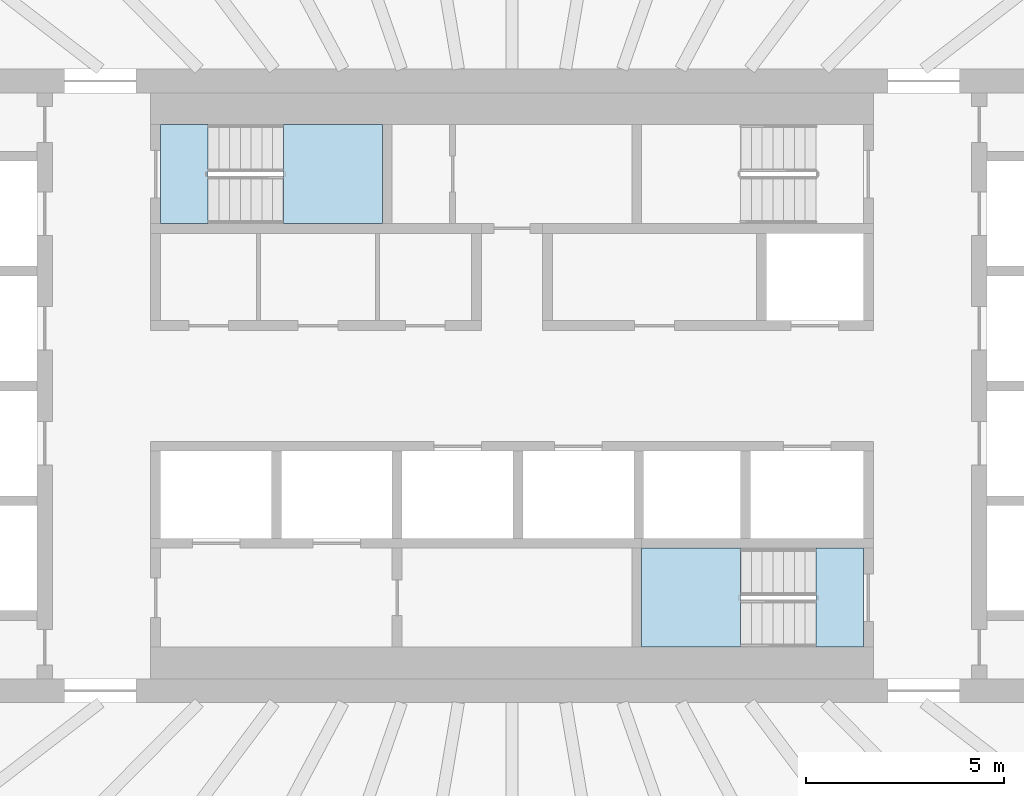
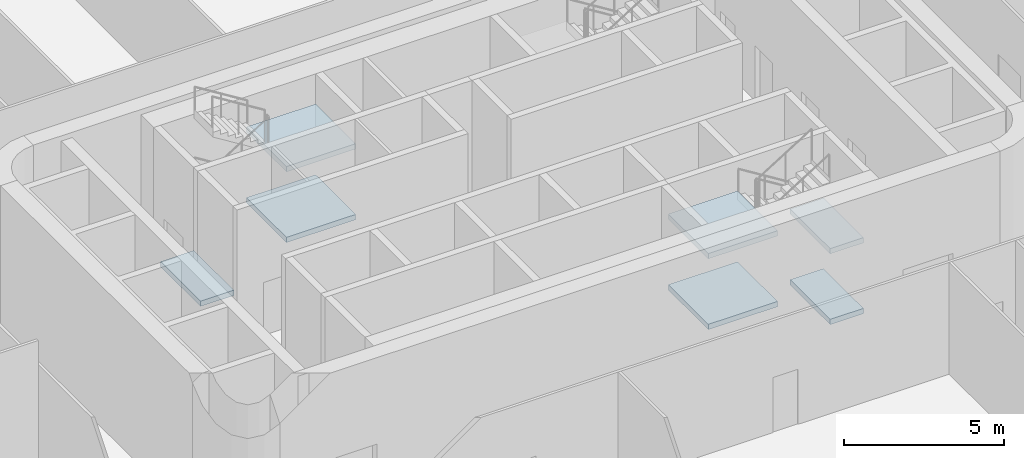
# One storey, part 17 of 42: 7 slabs, 2 elements without a shape of their own.
"""IFC4 building model written with IfcOpenShell, lengths in metres."""

from ifc_helpers import new_model, si_unit, direction, frame, origin, place, context, subcontext, project, spatial, polyline, outline, extrude, material, layer, layer_set, type_object, element, aggregate, save


model = new_model("IFC4")

# Units and contexts
model_context = context("Model", 3, precision=1e-05, world=origin(), true_north=direction((0.0, 1.0)))
body_context = subcontext(model_context, "Body", "Model", "MODEL_VIEW")
ifc_project = project(units=[si_unit("LENGTHUNIT", "METRE"), si_unit("AREAUNIT", "SQUARE_METRE"), si_unit("VOLUMEUNIT", "CUBIC_METRE"), si_unit("PLANEANGLEUNIT", "RADIAN"), si_unit("MASSUNIT", "GRAM", prefix="KILO")], contexts=[model_context])

# Site, building, storey
site_placement = place(None, origin())
site = spatial("IfcSite", under=ifc_project, at=site_placement, CompositionType="ELEMENT")
building_placement = place(site_placement, origin())
building = spatial("IfcBuilding", under=site, at=building_placement, Name="Sahrelin Media Tower", CompositionType="ELEMENT")
storey_placement = place(building_placement, frame((0.0, 0.0, 26.0)))
storey = spatial("IfcBuildingStorey", under=building, at=storey_placement, Name="L03", CompositionType="ELEMENT", Elevation=26.0)

# Stair, slabs
ifc_material = material(Name="Concrete C40/50", Category="concrete")
stair_type = type_object("IfcStairType", Name="Exit stair 1200", PredefinedType="HALF_TURN_STAIR", material=ifc_material)
placement_1 = place(storey_placement, origin())
stair_1 = element("IfcStair", 1, at=placement_1, inside=storey, type_object=stair_type, Name="L03 Exit stair ST1", PredefinedType="HALF_TURN_STAIR")
ifc_layer = layer(ifc_material, 0.199951171875)
ifc_layer_set = layer_set([ifc_layer], Name="Stair landing 200")
slab_type = type_object("IfcSlabType", Name="Stair landing 200", PredefinedType="LANDING", material=ifc_layer_set)
placement_2 = place(storey_placement, frame((0.0, 0.0, 1.14990234375)))
slab_1 = element("IfcSlab", 2, at=placement_2, type_object=slab_type, Name="ST1 landing 1", PredefinedType="LANDING", context=body_context, shape_type="SweptSolid", body=[
    extrude(outline(polyline([(-5.77490234375, 4.10009765625), (-3.27490234375, 4.10009765625), (-3.27490234375, 6.60009765625), (-5.77490234375, 6.60009765625), (-5.77490234375, 4.10009765625)])), origin(), (0.0, 0.0, 1.0), 0.2001953125),
])
placement_3 = place(storey_placement, frame((0.0, 0.0, 3.85009765625)))
slab_2 = element("IfcSlab", 3, at=placement_3, type_object=slab_type, Name="ST1 landing 3", PredefinedType="LANDING", context=body_context, shape_type="SweptSolid", body=[
    extrude(outline(polyline([(-5.77490234375, 4.10009765625), (-3.27490234375, 4.10009765625), (-3.27490234375, 6.60009765625), (-5.77490234375, 6.60009765625), (-5.77490234375, 4.10009765625)])), origin(), (0.0, 0.0, 1.0), 0.199951171875),
])
placement_4 = place(storey_placement, frame((0.0, 0.0, -0.199951171875)))
slab_3 = element("IfcSlab", 4, at=placement_4, type_object=slab_type, Name="ST1 landing 4", PredefinedType="LANDING", context=body_context, shape_type="SweptSolid", body=[
    extrude(outline(polyline([(-8.875, 4.10009765625), (-7.675048828125, 4.10009765625), (-7.675048828125, 6.60009765625), (-8.875, 6.60009765625), (-8.875, 4.10009765625)])), origin(), (0.0, 0.0, 1.0), 0.199951171875),
])
aggregate(stair_1, [slab_1, slab_2, slab_3])

stair_2 = element("IfcStair", 5, at=placement_1, inside=storey, type_object=stair_type, Name="L03 Exit stair ST2", PredefinedType="HALF_TURN_STAIR")
slab_4 = element("IfcSlab", 6, at=placement_2, type_object=slab_type, Name="ST2 landing 1", PredefinedType="LANDING", context=body_context, shape_type="SweptSolid", body=[
    extrude(outline(polyline([(5.77490234375, -4.10009765625), (3.27490234375, -4.10009765625), (3.27490234375, -6.60009765625), (5.77490234375, -6.60009765625), (5.77490234375, -4.10009765625)])), origin(), (0.0, 0.0, 1.0), 0.2001953125),
])
slab_5_placement = place(storey_placement, frame((0.0, 0.0, 2.5)))
slab_5 = element("IfcSlab", 7, at=slab_5_placement, type_object=slab_type, Name="ST2 landing 2", PredefinedType="LANDING", context=body_context, shape_type="SweptSolid", body=[
    extrude(outline(polyline([(8.875, -4.10009765625), (7.675048828125, -4.10009765625), (7.675048828125, -6.60009765625), (8.875, -6.60009765625), (8.875, -4.10009765625)])), origin(), (0.0, 0.0, 1.0), 0.199951171875),
])
slab_6 = element("IfcSlab", 8, at=placement_3, type_object=slab_type, Name="ST2 landing 3", PredefinedType="LANDING", context=body_context, shape_type="SweptSolid", body=[
    extrude(outline(polyline([(5.77490234375, -4.10009765625), (3.27490234375, -4.10009765625), (3.27490234375, -6.60009765625), (5.77490234375, -6.60009765625), (5.77490234375, -4.10009765625)])), origin(), (0.0, 0.0, 1.0), 0.199951171875),
])
slab_7 = element("IfcSlab", 9, at=placement_4, type_object=slab_type, Name="ST2 landing 4", PredefinedType="LANDING", context=body_context, shape_type="SweptSolid", body=[
    extrude(outline(polyline([(8.875, -4.10009765625), (7.675048828125, -4.10009765625), (7.675048828125, -6.60009765625), (8.875, -6.60009765625), (8.875, -4.10009765625)])), origin(), (0.0, 0.0, 1.0), 0.199951171875),
])
aggregate(stair_2, [slab_4, slab_5, slab_6, slab_7])

save(model, "model.ifc")
